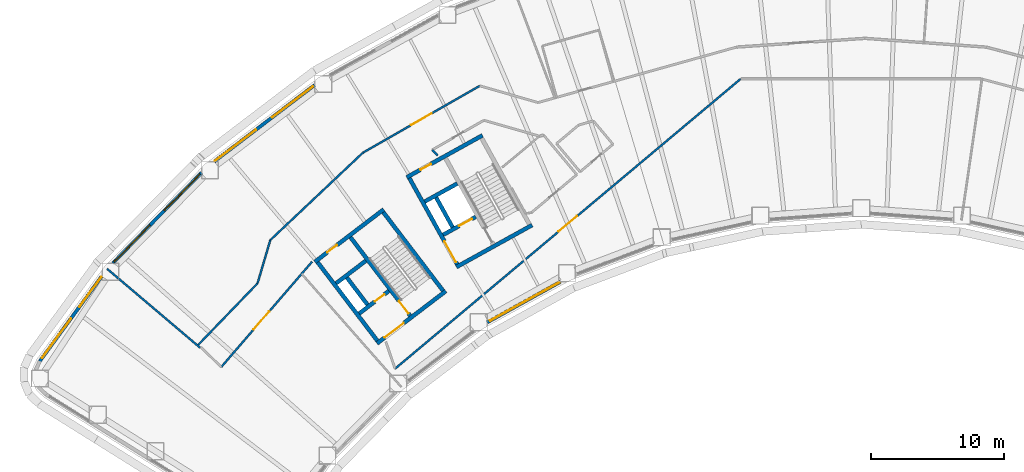
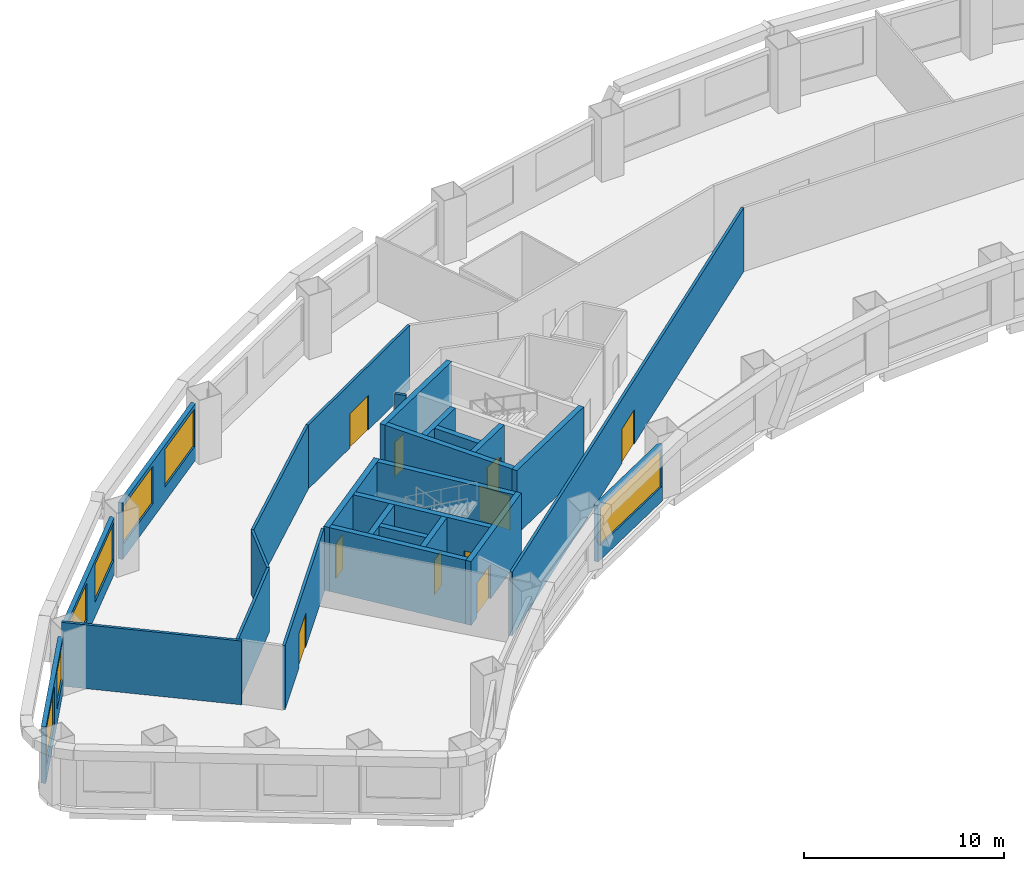
# One storey, part 3 of 11: 26 walls, 10 doors, 7 windows, 17 openings.
"""IFC4 building model written with IfcOpenShell, lengths in metres."""

from ifc_helpers import new_model, si_unit, direction, frame, frame_2d, origin, place, context, subcontext, project, spatial, rectangle, extrude, material, layer, layer_set, type_object, element, fill, save


model = new_model("IFC4")

# Units and contexts
model_context = context("Model", 3, precision=1e-05, world=origin(), true_north=direction((0.0, 1.0)))
body_context = subcontext(model_context, "Body", "Model", "MODEL_VIEW")
ifc_project = project(units=[si_unit("LENGTHUNIT", "METRE"), si_unit("AREAUNIT", "SQUARE_METRE"), si_unit("VOLUMEUNIT", "CUBIC_METRE"), si_unit("PLANEANGLEUNIT", "RADIAN"), si_unit("MASSUNIT", "GRAM", prefix="KILO")], contexts=[model_context])

# Site, building, storey
site_placement = place(None, origin())
site = spatial("IfcSite", under=ifc_project, at=site_placement, CompositionType="ELEMENT")
building_placement = place(site_placement, origin())
building = spatial("IfcBuilding", under=site, at=building_placement, Name="Tuul Gate Civic Tower", CompositionType="ELEMENT")
storey_placement = place(building_placement, frame((0.0, 0.0, 52.5)))
storey = spatial("IfcBuildingStorey", under=building, at=storey_placement, Name="Level 11", CompositionType="ELEMENT", Elevation=52.5)

# Wall, opening, door
ifc_material_1 = material(Name="Concrete C50/60", Category="concrete")
ifc_layer_1 = layer(ifc_material_1, 0.300048828125)
ifc_layer_set_1 = layer_set([ifc_layer_1], Name="Concrete C50/60")
wall_type_1 = type_object("IfcWallType", Name="Core wall C50/60", PredefinedType="SHEAR", material=ifc_layer_set_1)
wall_1_placement = place(storey_placement, frame((-31.19091796875, -13.669677734375, 0.0), z_axis=(0.0, 0.0, 1.0), x_axis=(-0.795606717756, -0.605813461934, 0.0)))
wall_1 = element("IfcWall", 1, at=wall_1_placement, inside=storey, type_object=wall_type_1, Name="Core wall", PredefinedType="SHEAR", context=body_context, shape_type="SweptSolid", body=[
    extrude(rectangle(XDim=6.5, YDim=0.300048828125, at=frame_2d((3.25, 0.0))), origin(), (0.0, 0.0, 1.0), 3.89990234375),
])
opening_1_placement = place(wall_1_placement, frame((3.97509765625, 0.0, 0.0)))
opening_1 = element("IfcOpeningElement", 2, at=opening_1_placement, cuts=wall_1, Name="Opening LB-W1-LOBBY-1", PredefinedType="OPENING", context=body_context, shape_type="SweptSolid", body=[
    extrude(rectangle(XDim=1.800048828125, YDim=2.10009765625, at=frame_2d((0.89990234375, 1.050048828125))), frame((0.0, 0.16015625, 0.0), z_axis=(0.0, -1.0, 0.0), x_axis=(1.0, 0.0, 0.0)), (0.0, 0.0, 1.0), 0.320068359375),
])
ifc_material_2 = material(Name="Steel", Category="steel")
door_type_1 = type_object("IfcDoorType", Name="Lobby door", OperationType="DOUBLE_DOOR_SINGLE_SWING", PredefinedType="DOOR", material=ifc_material_2)
door_1_placement = place(opening_1_placement, origin())
door_1 = element("IfcDoor", 3, at=door_1_placement, inside=storey, type_object=door_type_1, Name="Lobby door W1-LOBBY", OperationType="DOUBLE_DOOR_SINGLE_SWING", OverallHeight=2.10009765625, OverallWidth=1.800048828125, PredefinedType="DOOR", context=body_context, shape_type="SweptSolid", body=[
    extrude(rectangle(XDim=1.800048828125, YDim=2.10009765625, at=frame_2d((0.89990234375, 1.050048828125))), frame((0.0, 0.02490234375, 0.0), z_axis=(0.0, -1.0, 0.0), x_axis=(1.0, 0.0, 0.0)), (0.0, 0.0, 1.0), 0.050048828125),
])
fill(opening_1, door_1)

wall_2_placement = place(storey_placement, frame((-35.470947265625, -13.66064453125, 0.0), z_axis=(0.0, 0.0, 1.0), x_axis=(-0.795615822227, -0.605801504968, 0.0)))
wall_2 = element("IfcWall", 4, at=wall_2_placement, inside=storey, type_object=wall_type_1, Name="Core wall", PredefinedType="SHEAR", context=body_context, shape_type="SweptSolid", body=[
    extrude(rectangle(XDim=2.800048828125, YDim=0.300048828125, at=frame_2d((1.39990234375, 0.0))), origin(), (0.0, 0.0, 1.0), 3.89990234375),
])
opening_2_placement = place(wall_2_placement, frame((0.425048828125, 0.0, 0.0)))
opening_2 = element("IfcOpeningElement", 5, at=opening_2_placement, cuts=wall_2, Name="Opening FB-W1A1", PredefinedType="OPENING", context=body_context, shape_type="SweptSolid", body=[
    extrude(rectangle(XDim=0.89990234375, YDim=2.10009765625, at=frame_2d((0.449951171875, 1.050048828125))), frame((0.0, 0.16015625, 0.0), z_axis=(0.0, -1.0, 0.0), x_axis=(1.0, 0.0, 0.0)), (0.0, 0.0, 1.0), 0.320068359375),
])
ifc_material_3 = material(Name="Steel", Category="steel")
door_type_2 = type_object("IfcDoorType", Name="Store door", OperationType="NOTDEFINED", PredefinedType="DOOR", material=ifc_material_3)
door_2_placement = place(opening_2_placement, frame((0.89990234375, 0.0, 0.0), z_axis=(0.0, 0.0, 1.0), x_axis=(-1.0, 0.0, 0.0)))
door_2 = element("IfcDoor", 6, at=door_2_placement, inside=storey, type_object=door_type_2, Name="Store door W1A1", OperationType="SINGLE_SWING_RIGHT", OverallHeight=2.10009765625, OverallWidth=0.89990234375, PredefinedType="DOOR", context=body_context, shape_type="SweptSolid", body=[
    extrude(rectangle(XDim=0.89990234375, YDim=2.10009765625, at=frame_2d((0.449951171875, 1.050048828125))), frame((0.0, 0.02490234375, 0.0), z_axis=(0.0, -1.0, 0.0), x_axis=(1.0, 0.0, 0.0)), (0.0, 0.0, 1.0), 0.050048828125),
])
fill(opening_2, door_2)

# Wall
wall_3_placement = place(storey_placement, frame((-37.197509765625, -11.39306640625, 0.0), z_axis=(0.0, 0.0, 1.0), x_axis=(-0.795583820278, -0.605843531707, 0.0)))
element("IfcWall", 7, at=wall_3_placement, inside=storey, type_object=wall_type_1, Name="Core wall", PredefinedType="SHEAR", context=body_context, shape_type="SweptSolid", body=[
    extrude(rectangle(XDim=2.7998046875, YDim=0.300048828125, at=frame_2d((1.39990234375, 0.0))), origin(), (0.0, 0.0, 1.0), 3.89990234375),
])

# Wall, opening, door
wall_4_placement = place(storey_placement, frame((-35.855224609375, -7.543212890625, 0.0), z_axis=(0.0, 0.0, 1.0), x_axis=(-0.79563860527, -0.605771582202, 0.0)))
wall_4 = element("IfcWall", 8, at=wall_4_placement, inside=storey, type_object=wall_type_1, Name="Core wall", PredefinedType="SHEAR", context=body_context, shape_type="SweptSolid", body=[
    extrude(rectangle(XDim=6.5, YDim=0.300048828125, at=frame_2d((3.25, 0.0))), origin(), (0.0, 0.0, 1.0), 3.89990234375),
])
opening_3_placement = place(wall_4_placement, frame((4.425048828125, 0.0, 0.0)))
opening_3 = element("IfcOpeningElement", 9, at=opening_3_placement, cuts=wall_4, Name="Opening C-D13", PredefinedType="OPENING", context=body_context, shape_type="SweptSolid", body=[
    extrude(rectangle(XDim=0.89990234375, YDim=2.10009765625, at=frame_2d((0.449951171875, 1.050048828125))), frame((0.0, 0.16015625, 0.0), z_axis=(0.0, -1.0, 0.0), x_axis=(1.0, 0.0, 0.0)), (0.0, 0.0, 1.0), 0.320068359375),
])
ifc_material_4 = material(Name="Timber door leaf", Category="wood")
door_type_3 = type_object("IfcDoorType", Name="Door D09", OperationType="NOTDEFINED", PredefinedType="DOOR", material=ifc_material_4)
door_3_placement = place(opening_3_placement, origin())
door_3 = element("IfcDoor", 10, at=door_3_placement, inside=storey, type_object=door_type_3, Name="Door C-D13", OperationType="SINGLE_SWING_LEFT", OverallHeight=2.10009765625, OverallWidth=0.89990234375, PredefinedType="DOOR", context=body_context, shape_type="SweptSolid", body=[
    extrude(rectangle(XDim=0.89990234375, YDim=2.10009765625, at=frame_2d((0.449951171875, 1.050048828125))), frame((0.0, 0.02490234375, 0.0), z_axis=(0.0, -1.0, 0.0), x_axis=(1.0, 0.0, 0.0)), (0.0, 0.0, 1.0), 0.050048828125),
])
fill(opening_3, door_3)

# Wall
wall_5_placement = place(storey_placement, frame((-31.401123046875, -13.64111328125, 0.0), z_axis=(0.0, 0.0, 1.0), x_axis=(-0.605769822278, 0.795639945213, 0.0)))
element("IfcWall", 11, at=wall_5_placement, inside=storey, type_object=wall_type_1, Name="Core wall", PredefinedType="SHEAR", context=body_context, shape_type="SweptSolid", body=[
    extrude(rectangle(XDim=7.39990234375, YDim=0.300048828125, at=frame_2d((3.699951171875, 0.0))), origin(), (0.0, 0.0, 1.0), 3.89990234375),
])

# Wall, opening, door
wall_6_placement = place(storey_placement, frame((-33.867431640625, -15.51904296875, 0.0), z_axis=(0.0, 0.0, 1.0), x_axis=(-0.605769822278, 0.795639945213, 0.0)))
wall_6 = element("IfcWall", 12, at=wall_6_placement, inside=storey, type_object=wall_type_1, Name="Core wall", PredefinedType="SHEAR", context=body_context, shape_type="SweptSolid", body=[
    extrude(rectangle(XDim=7.39990234375, YDim=0.300048828125, at=frame_2d((3.699951171875, 0.0))), origin(), (0.0, 0.0, 1.0), 3.89990234375),
])
opening_4_placement = place(wall_6_placement, frame((0.199951171875, 0.0, 0.0)))
opening_4 = element("IfcOpeningElement", 13, at=opening_4_placement, cuts=wall_6, Name="Opening SD-ST-1", PredefinedType="OPENING", context=body_context, shape_type="SweptSolid", body=[
    extrude(rectangle(XDim=1.199951171875, YDim=2.10009765625, at=frame_2d((0.60009765625, 1.050048828125))), frame((0.0, 0.16015625, 0.0), z_axis=(0.0, -1.0, 0.0), x_axis=(1.0, 0.0, 0.0)), (0.0, 0.0, 1.0), 0.320068359375),
])
ifc_material_5 = material(Name="Steel", Category="steel")
door_type_4 = type_object("IfcDoorType", Name="Stair door", OperationType="NOTDEFINED", PredefinedType="DOOR", material=ifc_material_5)
door_4_placement = place(opening_4_placement, origin())
door_4 = element("IfcDoor", 14, at=door_4_placement, inside=storey, type_object=door_type_4, Name="Stair door ST-1", OperationType="SINGLE_SWING_LEFT", OverallHeight=2.10009765625, OverallWidth=1.199951171875, PredefinedType="DOOR", context=body_context, shape_type="SweptSolid", body=[
    extrude(rectangle(XDim=1.199951171875, YDim=2.10009765625, at=frame_2d((0.60009765625, 1.050048828125))), frame((0.0, 0.02490234375, 0.0), z_axis=(0.0, -1.0, 0.0), x_axis=(1.0, 0.0, 0.0)), (0.0, 0.0, 1.0), 0.050048828125),
])
fill(opening_4, door_4)

# Walls
wall_7_placement = place(storey_placement, frame((-37.073486328125, -14.6923828125, 0.0), z_axis=(0.0, 0.0, 1.0), x_axis=(-0.605728760074, 0.79567120673, 0.0)))
element("IfcWall", 15, at=wall_7_placement, inside=storey, type_object=wall_type_1, Name="Core wall", PredefinedType="SHEAR", context=body_context, shape_type="SweptSolid", body=[
    extrude(rectangle(XDim=2.550048828125, YDim=0.300048828125, at=frame_2d((1.27490234375, 0.0))), origin(), (0.0, 0.0, 1.0), 3.89990234375),
])
wall_8_placement = place(storey_placement, frame((-36.333984375, -17.397216796875, 0.0), z_axis=(0.0, 0.0, 1.0), x_axis=(-0.605753921168, 0.795652051458, 0.0)))
element("IfcWall", 16, at=wall_8_placement, inside=storey, type_object=wall_type_1, Name="Core wall", PredefinedType="SHEAR", context=body_context, shape_type="SweptSolid", body=[
    extrude(rectangle(XDim=7.400146484375, YDim=0.300048828125, at=frame_2d((3.7001953125, 0.0))), origin(), (0.0, 0.0, 1.0), 3.89990234375),
])
wall_9_placement = place(storey_placement, frame((-24.711669921875, -8.7158203125, 0.0), z_axis=(0.0, 0.0, 1.0), x_axis=(-0.874629909008, -0.484791215132, 0.0)))
element("IfcWall", 17, at=wall_9_placement, inside=storey, type_object=wall_type_1, Name="Core wall", PredefinedType="SHEAR", context=body_context, shape_type="SweptSolid", body=[
    extrude(rectangle(XDim=6.5, YDim=0.300048828125, at=frame_2d((3.25, 0.0))), origin(), (0.0, 0.0, 1.0), 3.89990234375),
])

# Wall, opening, door
wall_10_placement = place(storey_placement, frame((-28.94580078125, -8.090087890625, 0.0), z_axis=(0.0, 0.0, 1.0), x_axis=(-0.874629840737, -0.484791338301, 0.0)))
wall_10 = element("IfcWall", 18, at=wall_10_placement, inside=storey, type_object=wall_type_1, Name="Core wall", PredefinedType="SHEAR", context=body_context, shape_type="SweptSolid", body=[
    extrude(rectangle(XDim=2.800048828125, YDim=0.300048828125, at=frame_2d((1.39990234375, 0.0))), origin(), (0.0, 0.0, 1.0), 3.89990234375),
])
opening_5_placement = place(wall_10_placement, frame((0.324951171875, 0.0, 0.0)))
opening_5 = element("IfcOpeningElement", 19, at=opening_5_placement, cuts=wall_10, Name="Opening LD-FF-1", PredefinedType="OPENING", context=body_context, shape_type="SweptSolid", body=[
    extrude(rectangle(XDim=1.10009765625, YDim=2.10009765625, at=frame_2d((0.550048828125, 1.050048828125))), frame((0.0, 0.16015625, 0.0), z_axis=(0.0, -1.0, 0.0), x_axis=(1.0, 0.0, 0.0)), (0.0, 0.0, 1.0), 0.320068359375),
])
ifc_material_6 = material(Name="Stainless steel", Category="steel")
door_type_5 = type_object("IfcDoorType", Name="Landing door", OperationType="DOUBLE_DOOR_SLIDING", PredefinedType="DOOR", material=ifc_material_6)
door_5_placement = place(opening_5_placement, origin())
door_5 = element("IfcDoor", 20, at=door_5_placement, inside=storey, type_object=door_type_5, Name="Fire-fighting lift FF-1 landing door", OperationType="DOUBLE_DOOR_SLIDING", OverallHeight=2.10009765625, OverallWidth=1.10009765625, PredefinedType="DOOR", context=body_context, shape_type="SweptSolid", body=[
    extrude(rectangle(XDim=1.10009765625, YDim=2.10009765625, at=frame_2d((0.550048828125, 1.050048828125))), frame((0.0, 0.02490234375, 0.0), z_axis=(0.0, -1.0, 0.0), x_axis=(1.0, 0.0, 0.0)), (0.0, 0.0, 1.0), 0.050048828125),
])
fill(opening_5, door_5)

# Wall
wall_11_placement = place(storey_placement, frame((-30.327392578125, -5.59716796875, 0.0), z_axis=(0.0, 0.0, 1.0), x_axis=(-0.874629840737, -0.484791338301, 0.0)))
element("IfcWall", 21, at=wall_11_placement, inside=storey, type_object=wall_type_1, Name="Core wall", PredefinedType="SHEAR", context=body_context, shape_type="SweptSolid", body=[
    extrude(rectangle(XDim=2.800048828125, YDim=0.300048828125, at=frame_2d((1.39990234375, 0.0))), origin(), (0.0, 0.0, 1.0), 3.89990234375),
])

# Wall, opening, door
wall_12_placement = place(storey_placement, frame((-28.4443359375, -1.98095703125, 0.0), z_axis=(0.0, 0.0, 1.0), x_axis=(-0.874629909008, -0.484791215132, 0.0)))
wall_12 = element("IfcWall", 22, at=wall_12_placement, inside=storey, type_object=wall_type_1, Name="Core wall", PredefinedType="SHEAR", context=body_context, shape_type="SweptSolid", body=[
    extrude(rectangle(XDim=6.5, YDim=0.300048828125, at=frame_2d((3.25, 0.0))), origin(), (0.0, 0.0, 1.0), 3.89990234375),
])
opening_6_placement = place(wall_12_placement, frame((4.425048828125, 0.0, 0.0)))
opening_6 = element("IfcOpeningElement", 23, at=opening_6_placement, cuts=wall_12, Name="Opening C-D14", PredefinedType="OPENING", context=body_context, shape_type="SweptSolid", body=[
    extrude(rectangle(XDim=0.89990234375, YDim=2.10009765625, at=frame_2d((0.449951171875, 1.050048828125))), frame((0.0, 0.16015625, 0.0), z_axis=(0.0, -1.0, 0.0), x_axis=(1.0, 0.0, 0.0)), (0.0, 0.0, 1.0), 0.320068359375),
])
door_6_placement = place(opening_6_placement, origin())
door_6 = element("IfcDoor", 24, at=door_6_placement, inside=storey, type_object=door_type_3, Name="Door C-D14", OperationType="SINGLE_SWING_LEFT", OverallHeight=2.10009765625, OverallWidth=0.89990234375, PredefinedType="DOOR", context=body_context, shape_type="SweptSolid", body=[
    extrude(rectangle(XDim=0.89990234375, YDim=2.10009765625, at=frame_2d((0.449951171875, 1.050048828125))), frame((0.0, 0.02490234375, 0.0), z_axis=(0.0, -1.0, 0.0), x_axis=(1.0, 0.0, 0.0)), (0.0, 0.0, 1.0), 0.050048828125),
])
fill(opening_6, door_6)

# Wall
wall_13_placement = place(storey_placement, frame((-30.680419921875, -8.8798828125, 0.0), z_axis=(0.0, 0.0, 1.0), x_axis=(-0.484724115216, 0.874667097888, 0.0)))
element("IfcWall", 25, at=wall_13_placement, inside=storey, type_object=wall_type_1, Name="Core wall", PredefinedType="SHEAR", context=body_context, shape_type="SweptSolid", body=[
    extrude(rectangle(XDim=2.550048828125, YDim=0.300048828125, at=frame_2d((1.27490234375, 0.0))), origin(), (0.0, 0.0, 1.0), 3.89990234375),
])

# Wall, opening, door
wall_14_placement = place(storey_placement, frame((-30.33837890625, -11.6630859375, 0.0), z_axis=(0.0, 0.0, 1.0), x_axis=(-0.484751894226, 0.874651702704, 0.0)))
wall_14 = element("IfcWall", 26, at=wall_14_placement, inside=storey, type_object=wall_type_1, Name="Core wall", PredefinedType="SHEAR", context=body_context, shape_type="SweptSolid", body=[
    extrude(rectangle(XDim=7.39990234375, YDim=0.300048828125, at=frame_2d((3.699951171875, 0.0))), origin(), (0.0, 0.0, 1.0), 3.89990234375),
])
opening_7_placement = place(wall_14_placement, frame((0.175048828125, 0.0, 0.0)))
opening_7 = element("IfcOpeningElement", 27, at=opening_7_placement, cuts=wall_14, Name="Opening LB-W2-FLOBBY-1", PredefinedType="OPENING", context=body_context, shape_type="SweptSolid", body=[
    extrude(rectangle(XDim=1.800048828125, YDim=2.10009765625, at=frame_2d((0.89990234375, 1.050048828125))), frame((0.0, 0.16015625, 0.0), z_axis=(0.0, -1.0, 0.0), x_axis=(1.0, 0.0, 0.0)), (0.0, 0.0, 1.0), 0.320068359375),
])
door_7_placement = place(opening_7_placement, origin())
door_7 = element("IfcDoor", 28, at=door_7_placement, inside=storey, type_object=door_type_1, Name="Lobby door W2-FLOBBY", OperationType="DOUBLE_DOOR_SINGLE_SWING", OverallHeight=2.10009765625, OverallWidth=1.800048828125, PredefinedType="DOOR", context=body_context, shape_type="SweptSolid", body=[
    extrude(rectangle(XDim=1.800048828125, YDim=2.10009765625, at=frame_2d((0.89990234375, 1.050048828125))), frame((0.0, 0.02490234375, 0.0), z_axis=(0.0, -1.0, 0.0), x_axis=(1.0, 0.0, 0.0)), (0.0, 0.0, 1.0), 0.050048828125),
])
fill(opening_7, door_7)

ifc_material_7 = material(Name="Gypsum board partition")
ifc_layer_2 = layer(ifc_material_7, 0.14990234375)
ifc_layer_set_2 = layer_set([ifc_layer_2], Name="Gypsum board partition")
wall_type_2 = type_object("IfcWallType", Name="Corridor wall P150", PredefinedType="PARTITIONING", material=ifc_layer_set_2)
wall_15_placement = place(storey_placement, frame((-37.4111328125, -3.27685546875, 0.0), z_axis=(0.0, 0.0, 1.0), x_axis=(0.868030392738, 0.496511064614, 0.0)))
wall_15 = element("IfcWall", 29, at=wall_15_placement, inside=storey, type_object=wall_type_2, Name="p035", PredefinedType="PARTITIONING", context=body_context, shape_type="SweptSolid", body=[
    extrude(rectangle(XDim=10.102294921875, YDim=0.14990234375, at=frame_2d((5.05126953125, 0.0))), origin(), (0.0, 0.0, 1.0), 3.89990234375),
])
opening_8_placement = place(wall_15_placement, frame((4.151123046875, 0.0, 0.0)))
opening_8 = element("IfcOpeningElement", 30, at=opening_8_placement, cuts=wall_15, Name="Opening C-D05", PredefinedType="OPENING", context=body_context, shape_type="SweptSolid", body=[
    extrude(rectangle(XDim=1.800048828125, YDim=2.10009765625, at=frame_2d((0.89990234375, 1.050048828125))), frame((0.0, 0.0849609375, 0.0), z_axis=(0.0, -1.0, 0.0), x_axis=(1.0, 0.0, 0.0)), (0.0, 0.0, 1.0), 0.169921875),
])
ifc_material_8 = material(Name="Timber door leaf, double", Category="wood")
door_type_6 = type_object("IfcDoorType", Name="Door D18", OperationType="DOUBLE_DOOR_SINGLE_SWING", PredefinedType="DOOR", material=ifc_material_8)
door_8_placement = place(opening_8_placement, origin())
door_8 = element("IfcDoor", 31, at=door_8_placement, inside=storey, type_object=door_type_6, Name="Door C-D05", OperationType="DOUBLE_DOOR_SINGLE_SWING", OverallHeight=2.10009765625, OverallWidth=1.800048828125, PredefinedType="DOOR", context=body_context, shape_type="SweptSolid", body=[
    extrude(rectangle(XDim=1.800048828125, YDim=2.10009765625, at=frame_2d((0.89990234375, 1.050048828125))), frame((0.0, 0.02490234375, 0.0), z_axis=(0.0, -1.0, 0.0), x_axis=(1.0, 0.0, 0.0)), (0.0, 0.0, 1.0), 0.050048828125),
])
fill(opening_8, door_8)

# Walls
wall_16_placement = place(storey_placement, frame((-44.368408203125, -9.840087890625, 0.0), z_axis=(0.0, 0.0, 1.0), x_axis=(0.727386198167, 0.686228328412, 0.0)))
element("IfcWall", 32, at=wall_16_placement, inside=storey, type_object=wall_type_2, Name="p036", PredefinedType="PARTITIONING", context=body_context, shape_type="SweptSolid", body=[
    extrude(rectangle(XDim=9.56201171875, YDim=0.14990234375, at=frame_2d((4.781005859375, 0.0))), origin(), (0.0, 0.0, 1.0), 3.89990234375),
])
wall_17_placement = place(storey_placement, frame((-45.328125, -13.085205078125, 0.0), z_axis=(0.0, 0.0, 1.0), x_axis=(0.283471373964, 0.958980698525, 0.0)))
element("IfcWall", 33, at=wall_17_placement, inside=storey, type_object=wall_type_2, Name="p037", PredefinedType="PARTITIONING", context=body_context, shape_type="SweptSolid", body=[
    extrude(rectangle(XDim=3.382080078125, YDim=0.14990234375, at=frame_2d((1.69091796875, 0.0))), origin(), (0.0, 0.0, 1.0), 3.89990234375),
])
wall_18_placement = place(storey_placement, frame((-49.778076171875, -17.70458984375, 0.0), z_axis=(0.0, 0.0, 1.0), x_axis=(0.694082648112, 0.71989532405, 0.0)))
element("IfcWall", 34, at=wall_18_placement, inside=storey, type_object=wall_type_2, Name="p038", PredefinedType="PARTITIONING", context=body_context, shape_type="SweptSolid", body=[
    extrude(rectangle(XDim=6.403076171875, YDim=0.14990234375, at=frame_2d((3.20166015625, 0.0))), origin(), (0.0, 0.0, 1.0), 3.89990234375),
])
wall_19_placement = place(storey_placement, frame((-56.62353515625, -12.0029296875, 0.0), z_axis=(0.0, 0.0, 1.0), x_axis=(0.762780122702, -0.646657934623, 0.0)))
element("IfcWall", 35, at=wall_19_placement, inside=storey, type_object=wall_type_2, Name="p040", PredefinedType="PARTITIONING", context=body_context, shape_type="SweptSolid", body=[
    extrude(rectangle(XDim=9.15625, YDim=0.14990234375, at=frame_2d((4.578125, 0.0))), origin(), (0.0, 0.0, 1.0), 3.89990234375),
])

# Wall, opening, door
wall_20_placement = place(storey_placement, frame((-48.051025390625, -19.37109375, 0.0), z_axis=(0.0, 0.0, 1.0), x_axis=(0.653110258005, 0.757262828144, 0.0)))
wall_20 = element("IfcWall", 36, at=wall_20_placement, inside=storey, type_object=wall_type_2, Name="p047", PredefinedType="PARTITIONING", context=body_context, shape_type="SweptSolid", body=[
    extrude(rectangle(XDim=10.44287109375, YDim=0.14990234375, at=frame_2d((5.221435546875, 0.0))), origin(), (0.0, 0.0, 1.0), 3.89990234375),
])
opening_9_placement = place(wall_20_placement, frame((3.714599609375, 0.0, 0.0)))
opening_9 = element("IfcOpeningElement", 37, at=opening_9_placement, cuts=wall_20, Name="Opening C-D09", PredefinedType="OPENING", context=body_context, shape_type="SweptSolid", body=[
    extrude(rectangle(XDim=1.800048828125, YDim=2.10009765625, at=frame_2d((0.89990234375, 1.050048828125))), frame((0.0, 0.0849609375, 0.0), z_axis=(0.0, -1.0, 0.0), x_axis=(1.0, 0.0, 0.0)), (0.0, 0.0, 1.0), 0.169921875),
])
door_9_placement = place(opening_9_placement, frame((1.800048828125, 0.0, 0.0), z_axis=(0.0, 0.0, 1.0), x_axis=(-1.0, 0.0, 0.0)))
door_9 = element("IfcDoor", 38, at=door_9_placement, inside=storey, type_object=door_type_6, Name="Door C-D09", OperationType="DOUBLE_DOOR_SINGLE_SWING", OverallHeight=2.10009765625, OverallWidth=1.800048828125, PredefinedType="DOOR", context=body_context, shape_type="SweptSolid", body=[
    extrude(rectangle(XDim=1.800048828125, YDim=2.10009765625, at=frame_2d((0.900146484375, 1.050048828125))), frame((0.0, 0.02490234375, 0.0), z_axis=(0.0, -1.0, 0.0), x_axis=(1.0, 0.0, 0.0)), (0.0, 0.0, 1.0), 0.050048828125),
])
fill(opening_9, door_9)

wall_21_placement = place(storey_placement, frame((-35.001220703125, -19.499755859375, 0.0), z_axis=(0.0, 0.0, 1.0), x_axis=(0.766239076783, 0.642555582973, 0.0)))
wall_21 = element("IfcWall", 39, at=wall_21_placement, inside=storey, type_object=wall_type_2, Name="p049", PredefinedType="PARTITIONING", context=body_context, shape_type="SweptSolid", body=[
    extrude(rectangle(XDim=33.8525390625, YDim=0.14990234375, at=frame_2d((16.92626953125, 0.0))), origin(), (0.0, 0.0, 1.0), 3.89990234375),
])
opening_10_placement = place(wall_21_placement, frame((16.026123046875, 0.0, 0.0)))
opening_10 = element("IfcOpeningElement", 40, at=opening_10_placement, cuts=wall_21, Name="Opening C-D08", PredefinedType="OPENING", context=body_context, shape_type="SweptSolid", body=[
    extrude(rectangle(XDim=1.800048828125, YDim=2.10009765625, at=frame_2d((0.89990234375, 1.050048828125))), frame((0.0, 0.0849609375, 0.0), z_axis=(0.0, -1.0, 0.0), x_axis=(1.0, 0.0, 0.0)), (0.0, 0.0, 1.0), 0.169921875),
])
door_10_placement = place(opening_10_placement, frame((1.800048828125, 0.0, 0.0), z_axis=(0.0, 0.0, 1.0), x_axis=(-1.0, 0.0, 0.0)))
door_10 = element("IfcDoor", 41, at=door_10_placement, inside=storey, type_object=door_type_6, Name="Door C-D08", OperationType="DOUBLE_DOOR_SINGLE_SWING", OverallHeight=2.10009765625, OverallWidth=1.800048828125, PredefinedType="DOOR", context=body_context, shape_type="SweptSolid", body=[
    extrude(rectangle(XDim=1.800048828125, YDim=2.10009765625, at=frame_2d((0.900146484375, 1.050048828125))), frame((0.0, 0.02490234375, 0.0), z_axis=(0.0, -1.0, 0.0), x_axis=(1.0, 0.0, 0.0)), (0.0, 0.0, 1.0), 0.050048828125),
])
fill(opening_10, door_10)

# Wall
wall_22_placement = place(storey_placement, frame((-32.216552734375, -3.0703125, 0.0), z_axis=(0.0, 0.0, 1.0), x_axis=(0.695151117755, -0.718863633441, 0.0)))
element("IfcWall", 42, at=wall_22_placement, inside=storey, type_object=wall_type_2, Name="p061", PredefinedType="PARTITIONING", context=body_context, shape_type="SweptSolid", body=[
    extrude(rectangle(XDim=0.5869140625, YDim=0.14990234375, at=frame_2d((0.29345703125, 0.0))), origin(), (0.0, 0.0, 1.0), 3.89990234375),
])

# Wall, openings, windows
ifc_material_9 = material(Name="Precast concrete C40/50", Category="concrete")
ifc_layer_3 = layer(ifc_material_9, 0.25)
ifc_layer_set_3 = layer_set([ifc_layer_3], Name="Precast concrete C40/50")
wall_type_3 = type_object("IfcWallType", Name="External wall", PredefinedType="STANDARD", material=ifc_layer_set_3)
wall_23_placement = place(storey_placement, frame((-41.052001953125, 1.7900390625, 0.0), z_axis=(0.0, 0.0, 1.0), x_axis=(-0.795612935537, -0.605805296119, 0.0)))
wall_23 = element("IfcWall", 43, at=wall_23_placement, inside=storey, type_object=wall_type_3, Name="External wall", PredefinedType="STANDARD", context=body_context, shape_type="SweptSolid", body=[
    extrude(rectangle(XDim=9.461669921875, YDim=0.25, at=frame_2d((4.73095703125, 0.0))), origin(), (0.0, 0.0, 1.0), 3.449951171875),
])
opening_11_placement = place(wall_23_placement, frame((0.158935546875, 0.0, 0.89990234375)))
opening_11 = element("IfcOpeningElement", 44, at=opening_11_placement, cuts=wall_23, Name="Opening W22", PredefinedType="OPENING", context=body_context, shape_type="SweptSolid", body=[
    extrude(rectangle(XDim=3.85009765625, YDim=2.300048828125, at=frame_2d((1.925048828125, 1.14990234375))), frame((0.0, 0.135009765625, 0.0), z_axis=(0.0, -1.0, 0.0), x_axis=(1.0, 0.0, 0.0)), (0.0, 0.0, 1.0), 0.27001953125),
])
opening_12_placement = place(wall_23_placement, frame((5.5302734375, 0.0, 0.89990234375)))
opening_12 = element("IfcOpeningElement", 45, at=opening_12_placement, cuts=wall_23, Name="Opening W22", PredefinedType="OPENING", context=body_context, shape_type="SweptSolid", body=[
    extrude(rectangle(XDim=3.85009765625, YDim=2.300048828125, at=frame_2d((1.925048828125, 1.14990234375))), frame((0.0, 0.135009765625, 0.0), z_axis=(0.0, -1.0, 0.0), x_axis=(1.0, 0.0, 0.0)), (0.0, 0.0, 1.0), 0.27001953125),
])
ifc_material_10 = material(Name="Glass", Category="glass")
window_type_1 = type_object("IfcWindowType", Name="Window W22 3850 x 2300", PartitioningType="SINGLE_PANEL", PredefinedType="WINDOW", material=ifc_material_10)
window_1_placement = place(opening_11_placement, origin())
window_1 = element("IfcWindow", 46, at=window_1_placement, inside=storey, type_object=window_type_1, Name="Window", OverallHeight=2.300048828125, OverallWidth=3.85009765625, PartitioningType="SINGLE_PANEL", PredefinedType="WINDOW", context=body_context, shape_type="SweptSolid", body=[
    extrude(rectangle(XDim=3.85009765625, YDim=2.300048828125, at=frame_2d((1.925048828125, 1.14990234375))), frame((0.0, 0.030029296875, 0.0), z_axis=(0.0, -1.0, 0.0), x_axis=(1.0, 0.0, 0.0)), (0.0, 0.0, 1.0), 0.06005859375),
])
fill(opening_11, window_1)
window_2_placement = place(opening_12_placement, origin())
window_2 = element("IfcWindow", 47, at=window_2_placement, inside=storey, type_object=window_type_1, Name="Window", OverallHeight=2.300048828125, OverallWidth=3.85009765625, PartitioningType="SINGLE_PANEL", PredefinedType="WINDOW", context=body_context, shape_type="SweptSolid", body=[
    extrude(rectangle(XDim=3.85009765625, YDim=2.300048828125, at=frame_2d((1.925048828125, 1.14990234375))), frame((0.0, 0.030029296875, 0.0), z_axis=(0.0, -1.0, 0.0), x_axis=(1.0, 0.0, 0.0)), (0.0, 0.0, 1.0), 0.06005859375),
])
fill(opening_12, window_2)

wall_24_placement = place(storey_placement, frame((-49.548095703125, -4.791748046875, 0.0), z_axis=(0.0, 0.0, 1.0), x_axis=(-0.699994476854, -0.714148256578, 0.0)))
wall_24 = element("IfcWall", 48, at=wall_24_placement, inside=storey, type_object=wall_type_3, Name="External wall", PredefinedType="STANDARD", context=body_context, shape_type="SweptSolid", body=[
    extrude(rectangle(XDim=9.487060546875, YDim=0.25, at=frame_2d((4.74365234375, 0.0))), origin(), (0.0, 0.0, 1.0), 3.449951171875),
])
opening_13_placement = place(wall_24_placement, frame((0.13037109375, 0.0, 0.89990234375)))
opening_13 = element("IfcOpeningElement", 49, at=opening_13_placement, cuts=wall_24, Name="Opening W22", PredefinedType="OPENING", context=body_context, shape_type="SweptSolid", body=[
    extrude(rectangle(XDim=3.85009765625, YDim=2.300048828125, at=frame_2d((1.925048828125, 1.14990234375))), frame((0.0, 0.135009765625, 0.0), z_axis=(0.0, -1.0, 0.0), x_axis=(1.0, 0.0, 0.0)), (0.0, 0.0, 1.0), 0.27001953125),
])
opening_14_placement = place(wall_24_placement, frame((5.501708984375, 0.0, 0.89990234375)))
opening_14 = element("IfcOpeningElement", 50, at=opening_14_placement, cuts=wall_24, Name="Opening W22", PredefinedType="OPENING", context=body_context, shape_type="SweptSolid", body=[
    extrude(rectangle(XDim=3.85009765625, YDim=2.300048828125, at=frame_2d((1.925048828125, 1.14990234375))), frame((0.0, 0.135009765625, 0.0), z_axis=(0.0, -1.0, 0.0), x_axis=(1.0, 0.0, 0.0)), (0.0, 0.0, 1.0), 0.27001953125),
])
window_3_placement = place(opening_13_placement, origin())
window_3 = element("IfcWindow", 51, at=window_3_placement, inside=storey, type_object=window_type_1, Name="Window", OverallHeight=2.300048828125, OverallWidth=3.85009765625, PartitioningType="SINGLE_PANEL", PredefinedType="WINDOW", context=body_context, shape_type="SweptSolid", body=[
    extrude(rectangle(XDim=3.85009765625, YDim=2.300048828125, at=frame_2d((1.925048828125, 1.14990234375))), frame((0.0, 0.030029296875, 0.0), z_axis=(0.0, -1.0, 0.0), x_axis=(1.0, 0.0, 0.0)), (0.0, 0.0, 1.0), 0.06005859375),
])
fill(opening_13, window_3)
window_4_placement = place(opening_14_placement, origin())
window_4 = element("IfcWindow", 52, at=window_4_placement, inside=storey, type_object=window_type_1, Name="Window", OverallHeight=2.300048828125, OverallWidth=3.85009765625, PartitioningType="SINGLE_PANEL", PredefinedType="WINDOW", context=body_context, shape_type="SweptSolid", body=[
    extrude(rectangle(XDim=3.85009765625, YDim=2.300048828125, at=frame_2d((1.925048828125, 1.14990234375))), frame((0.0, 0.030029296875, 0.0), z_axis=(0.0, -1.0, 0.0), x_axis=(1.0, 0.0, 0.0)), (0.0, 0.0, 1.0), 0.06005859375),
])
fill(opening_14, window_4)

wall_25_placement = place(storey_placement, frame((-57.02197265625, -12.556884765625, 0.0), z_axis=(0.0, 0.0, 1.0), x_axis=(-0.589806928208, -0.807544294412, 0.0)))
wall_25 = element("IfcWall", 53, at=wall_25_placement, inside=storey, type_object=wall_type_3, Name="External wall", PredefinedType="STANDARD", context=body_context, shape_type="SweptSolid", body=[
    extrude(rectangle(XDim=7.912841796875, YDim=0.25, at=frame_2d((3.95654296875, 0.0))), origin(), (0.0, 0.0, 1.0), 3.449951171875),
])
opening_15_placement = place(wall_25_placement, frame((0.060791015625, 0.0, 0.89990234375)))
opening_15 = element("IfcOpeningElement", 54, at=opening_15_placement, cuts=wall_25, Name="Opening W23", PredefinedType="OPENING", context=body_context, shape_type="SweptSolid", body=[
    extrude(rectangle(XDim=2.800048828125, YDim=2.300048828125, at=frame_2d((1.39990234375, 1.14990234375))), frame((0.0, 0.135009765625, 0.0), z_axis=(0.0, -1.0, 0.0), x_axis=(1.0, 0.0, 0.0)), (0.0, 0.0, 1.0), 0.27001953125),
])
opening_16_placement = place(wall_25_placement, frame((3.912109375, 0.0, 0.89990234375)))
opening_16 = element("IfcOpeningElement", 55, at=opening_16_placement, cuts=wall_25, Name="Opening W21", PredefinedType="OPENING", context=body_context, shape_type="SweptSolid", body=[
    extrude(rectangle(XDim=3.699951171875, YDim=2.300048828125, at=frame_2d((1.85009765625, 1.14990234375))), frame((0.0, 0.135009765625, 0.0), z_axis=(0.0, -1.0, 0.0), x_axis=(1.0, 0.0, 0.0)), (0.0, 0.0, 1.0), 0.27001953125),
])
ifc_material_11 = material(Name="Glass", Category="glass")
window_type_2 = type_object("IfcWindowType", Name="Window W21 3700 x 2300", PartitioningType="SINGLE_PANEL", PredefinedType="WINDOW", material=ifc_material_11)
window_5_placement = place(opening_16_placement, origin())
window_5 = element("IfcWindow", 56, at=window_5_placement, inside=storey, type_object=window_type_2, Name="Window", OverallHeight=2.300048828125, OverallWidth=3.699951171875, PartitioningType="SINGLE_PANEL", PredefinedType="WINDOW", context=body_context, shape_type="SweptSolid", body=[
    extrude(rectangle(XDim=3.699951171875, YDim=2.300048828125, at=frame_2d((1.85009765625, 1.14990234375))), frame((0.0, 0.030029296875, 0.0), z_axis=(0.0, -1.0, 0.0), x_axis=(1.0, 0.0, 0.0)), (0.0, 0.0, 1.0), 0.06005859375),
])
fill(opening_16, window_5)
ifc_material_12 = material(Name="Glass", Category="glass")
window_type_3 = type_object("IfcWindowType", Name="Window W23 2800 x 2300", PartitioningType="SINGLE_PANEL", PredefinedType="WINDOW", material=ifc_material_12)
window_6_placement = place(opening_15_placement, origin())
window_6 = element("IfcWindow", 57, at=window_6_placement, inside=storey, type_object=window_type_3, Name="Window", OverallHeight=2.300048828125, OverallWidth=2.800048828125, PartitioningType="SINGLE_PANEL", PredefinedType="WINDOW", context=body_context, shape_type="SweptSolid", body=[
    extrude(rectangle(XDim=2.800048828125, YDim=2.300048828125, at=frame_2d((1.39990234375, 1.14990234375))), frame((0.0, 0.030029296875, 0.0), z_axis=(0.0, -1.0, 0.0), x_axis=(1.0, 0.0, 0.0)), (0.0, 0.0, 1.0), 0.06005859375),
])
fill(opening_15, window_6)

# Wall, opening, window
wall_26_placement = place(storey_placement, frame((-28.076904296875, -16.0166015625, 0.0), z_axis=(0.0, 0.0, 1.0), x_axis=(0.874630436192, 0.484790264018, 0.0)))
wall_26 = element("IfcWall", 58, at=wall_26_placement, inside=storey, type_object=wall_type_3, Name="External wall", PredefinedType="STANDARD", context=body_context, shape_type="SweptSolid", body=[
    extrude(rectangle(XDim=6.27392578125, YDim=0.25, at=frame_2d((3.136962890625, 0.0))), origin(), (0.0, 0.0, 1.0), 3.449951171875),
])
opening_17_placement = place(wall_26_placement, frame((0.237060546875, 0.0, 0.89990234375)))
opening_17 = element("IfcOpeningElement", 59, at=opening_17_placement, cuts=wall_26, Name="Opening W101", PredefinedType="OPENING", context=body_context, shape_type="SweptSolid", body=[
    extrude(rectangle(XDim=5.949951171875, YDim=2.300048828125, at=frame_2d((2.97509765625, 1.14990234375))), frame((0.0, 0.135009765625, 0.0), z_axis=(0.0, -1.0, 0.0), x_axis=(1.0, 0.0, 0.0)), (0.0, 0.0, 1.0), 0.27001953125),
])
ifc_material_13 = material(Name="Glass", Category="glass")
window_type_4 = type_object("IfcWindowType", Name="Window W101 5950 x 2300", PartitioningType="SINGLE_PANEL", PredefinedType="WINDOW", material=ifc_material_13)
window_7_placement = place(opening_17_placement, origin())
window_7 = element("IfcWindow", 60, at=window_7_placement, inside=storey, type_object=window_type_4, Name="Window", OverallHeight=2.300048828125, OverallWidth=5.949951171875, PartitioningType="SINGLE_PANEL", PredefinedType="WINDOW", context=body_context, shape_type="SweptSolid", body=[
    extrude(rectangle(XDim=5.949951171875, YDim=2.300048828125, at=frame_2d((2.97509765625, 1.14990234375))), frame((0.0, 0.030029296875, 0.0), z_axis=(0.0, -1.0, 0.0), x_axis=(1.0, 0.0, 0.0)), (0.0, 0.0, 1.0), 0.06005859375),
])
fill(opening_17, window_7)

save(model, "model.ifc")
